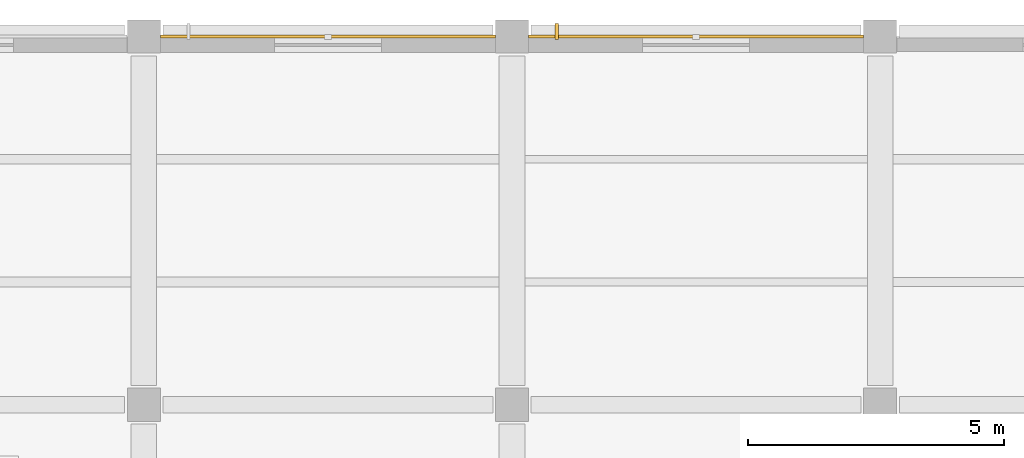
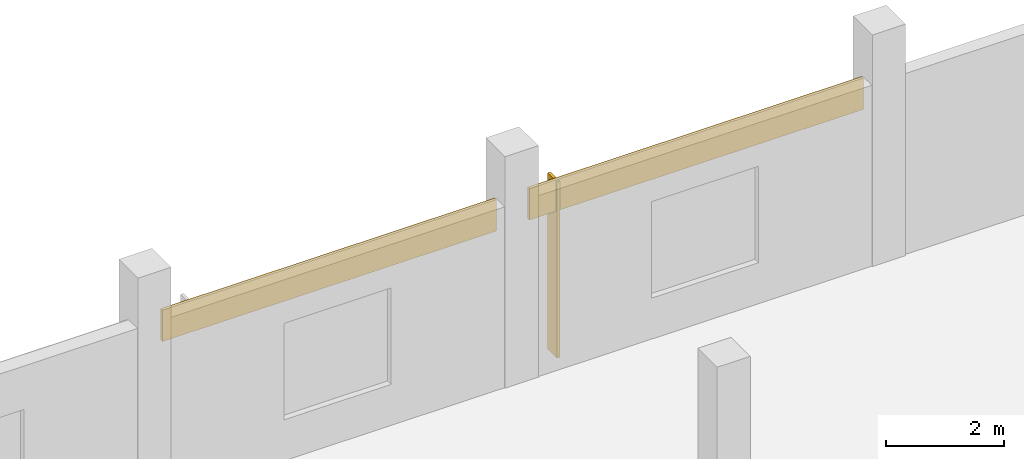
# One storey, part 121 of 127: 2 coverings, 1 shading device.
"""IFC4 building model written with IfcOpenShell, lengths in metres."""

from ifc_helpers import new_model, si_unit, direction, frame, origin, origin_2d, place, context, subcontext, project, spatial, rectangle, extrude, material, layer, layer_set, type_object, element, save


model = new_model("IFC4")

# Units and contexts
model_context = context("Model", 3, precision=1e-05, world=origin(), true_north=direction((0.0, 1.0)))
body_context = subcontext(model_context, "Body", "Model", "MODEL_VIEW")
ifc_project = project(units=[si_unit("LENGTHUNIT", "METRE"), si_unit("AREAUNIT", "SQUARE_METRE"), si_unit("VOLUMEUNIT", "CUBIC_METRE"), si_unit("PLANEANGLEUNIT", "RADIAN"), si_unit("MASSUNIT", "GRAM", prefix="KILO")], contexts=[model_context])

# Site, building, storey
site_placement = place(None, origin())
site = spatial("IfcSite", under=ifc_project, at=site_placement, CompositionType="ELEMENT")
building_placement = place(site_placement, origin())
building = spatial("IfcBuilding", under=site, at=building_placement, Name="Kalmorath City Hall", CompositionType="ELEMENT")
storey_placement = place(building_placement, frame((0.0, 0.0, 5.39990234375)))
storey = spatial("IfcBuildingStorey", under=building, at=storey_placement, Name="L01", CompositionType="ELEMENT", Elevation=5.39990234375)

# Shading device
ifc_material_1 = material(Name="Bronze anodised aluminium", Category="aluminium")
ifc_layer_1 = layer(ifc_material_1, 0.06005859375)
ifc_layer_set_1 = layer_set([ifc_layer_1], Name="Bronze anodised aluminium")
shading_device_type = type_object("IfcShadingDeviceType", Name="Bronze vertical solar fin 320", PredefinedType="USERDEFINED", material=ifc_layer_set_1)
shading_device_placement = place(storey_placement, frame((116.075927734375, 115.300048828125, 0.050048828125), z_axis=(0.0, 0.0, 1.0), x_axis=(1.0, 0.0, 0.0)))
element("IfcShadingDevice", 1, at=shading_device_placement, inside=storey, type_object=shading_device_type, Name="L01 bronze solar fin #138", ObjectType="FIN", PredefinedType="USERDEFINED", context=body_context, shape_type="SweptSolid", body=[
    extrude(rectangle(XDim=0.06005859375, YDim=0.320068359375, at=origin_2d()), origin(), (0.0, 0.0, 1.0), 3.65087890625),
])

# Coverings
ifc_material_2 = material(Name="Volcanic basalt stone cladding", Category="masonry")
ifc_layer_2 = layer(ifc_material_2, 0.06005859375)
ifc_layer_set_2 = layer_set([ifc_layer_2], Name="Volcanic basalt stone cladding")
covering_type = type_object("IfcCoveringType", Name="Volcanic basalt stone rainscreen cladding", PredefinedType="CLADDING", material=ifc_layer_set_2)
for number, where, z_axis, x_axis, name in (
    (2, (111.60009765625, 115.205078125, 3.076171875), (0.0, 0.0, 1.0), (1.0, 0.0, 0.0), "L01 basalt spandrel cladding #31"),
    (3, (118.800048828125, 115.205078125, 3.076171875), (0.0, 0.0, 1.0), (1.0, 0.0, 0.0), "L01 basalt spandrel cladding #32"),
):
    element("IfcCovering", number, at=place(storey_placement, frame(where, z_axis=z_axis, x_axis=x_axis)), inside=storey, type_object=covering_type, Name=name, PredefinedType="CLADDING", context=body_context, shape_type="SweptSolid", body=[
        extrude(rectangle(XDim=6.548095703125, YDim=0.06005859375, at=origin_2d()), origin(), (0.0, 0.0, 1.0), 0.64990234375),
    ])

save(model, "model.ifc")
